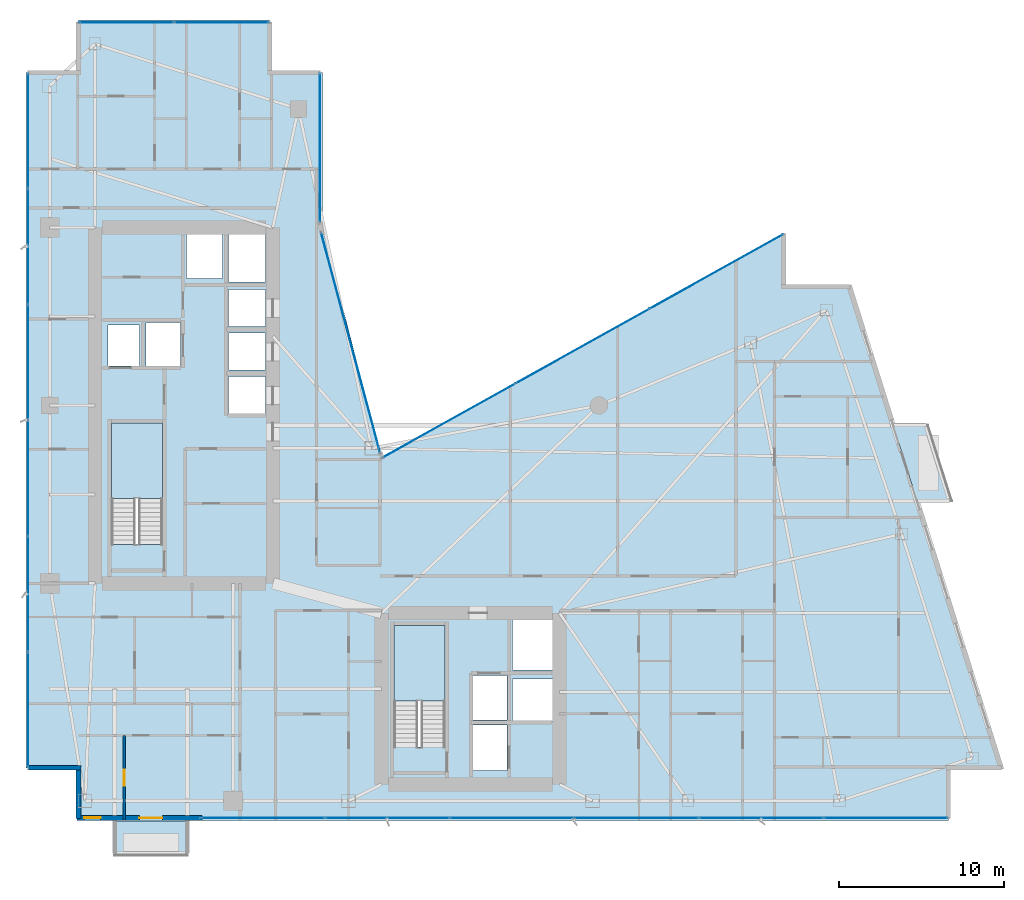
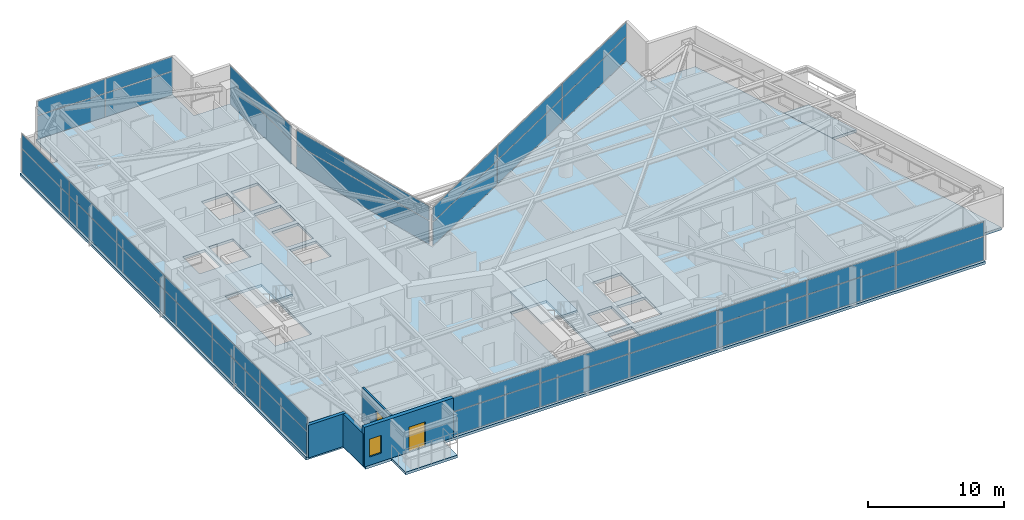
# One storey, part 21 of 28: 38 plates, 5 slabs, 4 walls, 2 doors, 1 window, 3 openings, 8 elements without a shape of their own.
"""IFC4 building model written with IfcOpenShell, lengths in metres."""

from ifc_helpers import new_model, si_unit, direction, frame, frame_2d, origin, origin_2d, place, context, subcontext, project, spatial, polyline, rectangle, outline, extrude, material, layer, layer_set, type_object, element, fill, aggregate, save


model = new_model("IFC4")

# Units and contexts
model_context = context("Model", 3, precision=1e-05, world=origin(), true_north=direction((0.0, 1.0)))
body_context = subcontext(model_context, "Body", "Model", "MODEL_VIEW")
ifc_project = project(units=[si_unit("LENGTHUNIT", "METRE"), si_unit("AREAUNIT", "SQUARE_METRE"), si_unit("VOLUMEUNIT", "CUBIC_METRE"), si_unit("PLANEANGLEUNIT", "RADIAN"), si_unit("MASSUNIT", "GRAM", prefix="KILO")], contexts=[model_context])

# Site, building, storey
site_placement = place(None, origin())
site = spatial("IfcSite", under=ifc_project, at=site_placement, CompositionType="ELEMENT")
building_placement = place(site_placement, origin())
building = spatial("IfcBuilding", under=site, at=building_placement, Name="Calvorn Quay Hotel", CompositionType="ELEMENT")
storey_placement = place(building_placement, frame((0.0, 0.0, 159.89990234375)))
storey = spatial("IfcBuildingStorey", under=building, at=storey_placement, Name="L39", CompositionType="ELEMENT", Elevation=159.89990234375)

# Curtain wall, plates
ifc_material_1 = material(Name="Pale Anodised Aluminium and Low-E Glass", Category="aluminium")
ifc_layer_1 = layer(ifc_material_1, 0.219970703125)
ifc_layer_set_1 = layer_set([ifc_layer_1], Name="CW-SYS-Z2")
curtain_wall_type = type_object("IfcCurtainWallType", Name="CW-SYS-Z2", PredefinedType="NOTDEFINED", material=ifc_layer_set_1)
curtain_wall_1_placement = place(storey_placement, origin())
curtain_wall_1 = element("IfcCurtainWall", 1, at=curtain_wall_1_placement, inside=storey, type_object=curtain_wall_type, Name="Tower West Curtain Wall (L39)", PredefinedType="NOTDEFINED")
ifc_material_2 = material(Name="Low-E Laminated Double Glazing", Category="glass")
ifc_layer_2 = layer(ifc_material_2, 0.028076171875)
ifc_layer_set_2 = layer_set([ifc_layer_2], Name="CW-SYS-Z2-PAN")
plate_type = type_object("IfcPlateType", Name="CW-SYS-Z2-PAN", PredefinedType="CURTAIN_PANEL", material=ifc_layer_set_2)
plate_1_placement = place(storey_placement, frame((0.14990234375, 9.131591796875, 0.06005859375), z_axis=(0.0, 0.0, 1.0), x_axis=(0.0, 1.0, 0.0)))
plate_1 = element("IfcPlate", 2, at=plate_1_placement, type_object=plate_type, Name="CW-L39-W panel 1.1", PredefinedType="CURTAIN_PANEL", context=body_context, shape_type="SweptSolid", body=[
    extrude(rectangle(XDim=6.943359375, YDim=0.028076171875, at=origin_2d()), origin(), (0.0, 0.0, 1.0), 2.110107421875),
])
plate_2_placement = place(storey_placement, frame((0.14990234375, 9.131591796875, 2.22998046875), z_axis=(0.0, 0.0, 1.0), x_axis=(0.0, 1.0, 0.0)))
plate_2 = element("IfcPlate", 3, at=plate_2_placement, type_object=plate_type, Name="CW-L39-W panel 1.2", PredefinedType="CURTAIN_PANEL", context=body_context, shape_type="SweptSolid", body=[
    extrude(rectangle(XDim=6.943359375, YDim=0.028076171875, at=origin_2d()), origin(), (0.0, 0.0, 1.0), 1.27001953125),
])
plate_3_placement = place(storey_placement, frame((0.14990234375, 16.14990234375, 0.06005859375), z_axis=(0.0, 0.0, 1.0), x_axis=(0.0, 1.0, 0.0)))
plate_3 = element("IfcPlate", 4, at=plate_3_placement, type_object=plate_type, Name="CW-L39-W panel 2.1", PredefinedType="CURTAIN_PANEL", context=body_context, shape_type="SweptSolid", body=[
    extrude(rectangle(XDim=6.973388671875, YDim=0.028076171875, at=origin_2d()), origin(), (0.0, 0.0, 1.0), 2.110107421875),
])
plate_4_placement = place(storey_placement, frame((0.14990234375, 16.14990234375, 2.22998046875), z_axis=(0.0, 0.0, 1.0), x_axis=(0.0, 1.0, 0.0)))
plate_4 = element("IfcPlate", 5, at=plate_4_placement, type_object=plate_type, Name="CW-L39-W panel 2.2", PredefinedType="CURTAIN_PANEL", context=body_context, shape_type="SweptSolid", body=[
    extrude(rectangle(XDim=6.973388671875, YDim=0.028076171875, at=origin_2d()), origin(), (0.0, 0.0, 1.0), 1.27001953125),
])
plate_5_placement = place(storey_placement, frame((0.14990234375, 23.183349609375, 0.06005859375), z_axis=(0.0, 0.0, 1.0), x_axis=(0.0, 1.0, 0.0)))
plate_5 = element("IfcPlate", 6, at=plate_5_placement, type_object=plate_type, Name="CW-L39-W panel 3.1", PredefinedType="CURTAIN_PANEL", context=body_context, shape_type="SweptSolid", body=[
    extrude(rectangle(XDim=6.973388671875, YDim=0.028076171875, at=origin_2d()), origin(), (0.0, 0.0, 1.0), 2.110107421875),
])
plate_6_placement = place(storey_placement, frame((0.14990234375, 23.183349609375, 2.22998046875), z_axis=(0.0, 0.0, 1.0), x_axis=(0.0, 1.0, 0.0)))
plate_6 = element("IfcPlate", 7, at=plate_6_placement, type_object=plate_type, Name="CW-L39-W panel 3.2", PredefinedType="CURTAIN_PANEL", context=body_context, shape_type="SweptSolid", body=[
    extrude(rectangle(XDim=6.973388671875, YDim=0.028076171875, at=origin_2d()), origin(), (0.0, 0.0, 1.0), 1.27001953125),
])
plate_7_placement = place(storey_placement, frame((0.14990234375, 30.216552734375, 0.06005859375), z_axis=(0.0, 0.0, 1.0), x_axis=(0.0, 1.0, 0.0)))
plate_7 = element("IfcPlate", 8, at=plate_7_placement, type_object=plate_type, Name="CW-L39-W panel 4.1", PredefinedType="CURTAIN_PANEL", context=body_context, shape_type="SweptSolid", body=[
    extrude(rectangle(XDim=6.973388671875, YDim=0.028076171875, at=origin_2d()), origin(), (0.0, 0.0, 1.0), 2.110107421875),
])
plate_8_placement = place(storey_placement, frame((0.14990234375, 30.216552734375, 2.22998046875), z_axis=(0.0, 0.0, 1.0), x_axis=(0.0, 1.0, 0.0)))
plate_8 = element("IfcPlate", 9, at=plate_8_placement, type_object=plate_type, Name="CW-L39-W panel 4.2", PredefinedType="CURTAIN_PANEL", context=body_context, shape_type="SweptSolid", body=[
    extrude(rectangle(XDim=6.973388671875, YDim=0.028076171875, at=origin_2d()), origin(), (0.0, 0.0, 1.0), 1.27001953125),
])
plate_9_placement = place(storey_placement, frame((0.14990234375, 37.25, 0.06005859375), z_axis=(0.0, 0.0, 1.0), x_axis=(0.0, 1.0, 0.0)))
plate_9 = element("IfcPlate", 10, at=plate_9_placement, type_object=plate_type, Name="CW-L39-W panel 5.1", PredefinedType="CURTAIN_PANEL", context=body_context, shape_type="SweptSolid", body=[
    extrude(rectangle(XDim=6.973388671875, YDim=0.028076171875, at=origin_2d()), origin(), (0.0, 0.0, 1.0), 2.110107421875),
])
plate_10_placement = place(storey_placement, frame((0.14990234375, 37.25, 2.22998046875), z_axis=(0.0, 0.0, 1.0), x_axis=(0.0, 1.0, 0.0)))
plate_10 = element("IfcPlate", 11, at=plate_10_placement, type_object=plate_type, Name="CW-L39-W panel 5.2", PredefinedType="CURTAIN_PANEL", context=body_context, shape_type="SweptSolid", body=[
    extrude(rectangle(XDim=6.973388671875, YDim=0.028076171875, at=origin_2d()), origin(), (0.0, 0.0, 1.0), 1.27001953125),
])
plate_11_placement = place(storey_placement, frame((0.14990234375, 44.268310546875, 0.06005859375), z_axis=(0.0, 0.0, 1.0), x_axis=(0.0, 1.0, 0.0)))
plate_11 = element("IfcPlate", 12, at=plate_11_placement, type_object=plate_type, Name="CW-L39-W panel 6.1", PredefinedType="CURTAIN_PANEL", context=body_context, shape_type="SweptSolid", body=[
    extrude(rectangle(XDim=6.943359375, YDim=0.028076171875, at=origin_2d()), origin(), (0.0, 0.0, 1.0), 2.110107421875),
])
plate_12_placement = place(storey_placement, frame((0.14990234375, 44.268310546875, 2.22998046875), z_axis=(0.0, 0.0, 1.0), x_axis=(0.0, 1.0, 0.0)))
plate_12 = element("IfcPlate", 13, at=plate_12_placement, type_object=plate_type, Name="CW-L39-W panel 6.2", PredefinedType="CURTAIN_PANEL", context=body_context, shape_type="SweptSolid", body=[
    extrude(rectangle(XDim=6.943359375, YDim=0.028076171875, at=origin_2d()), origin(), (0.0, 0.0, 1.0), 1.27001953125),
])
aggregate(curtain_wall_1, [plate_1, plate_2, plate_3, plate_4, plate_5, plate_6, plate_7, plate_8, plate_9, plate_10, plate_11, plate_12])

curtain_wall_2_placement = place(storey_placement, origin())
curtain_wall_2 = element("IfcCurtainWall", 14, at=curtain_wall_2_placement, inside=storey, type_object=curtain_wall_type, Name="Tower South Waterfront Curtain Wall (L39)", PredefinedType="NOTDEFINED")
plate_13_placement = place(storey_placement, frame((14.3984375, 2.550048828125, 0.06005859375), z_axis=(0.0, 0.0, 1.0), x_axis=(1.0, 0.0, 0.0)))
plate_13 = element("IfcPlate", 15, at=plate_13_placement, type_object=plate_type, Name="CW-L39-S panel 1.1", PredefinedType="CURTAIN_PANEL", context=body_context, shape_type="SweptSolid", body=[
    extrude(rectangle(XDim=7.4765625, YDim=0.028076171875, at=origin_2d()), origin(), (0.0, 0.0, 1.0), 2.110107421875),
])
plate_14_placement = place(storey_placement, frame((14.3984375, 2.550048828125, 2.22998046875), z_axis=(0.0, 0.0, 1.0), x_axis=(1.0, 0.0, 0.0)))
plate_14 = element("IfcPlate", 16, at=plate_14_placement, type_object=plate_type, Name="CW-L39-S panel 1.2", PredefinedType="CURTAIN_PANEL", context=body_context, shape_type="SweptSolid", body=[
    extrude(rectangle(XDim=7.4765625, YDim=0.028076171875, at=origin_2d()), origin(), (0.0, 0.0, 1.0), 1.27001953125),
])
plate_15_placement = place(storey_placement, frame((21.949951171875, 2.550048828125, 0.06005859375), z_axis=(0.0, 0.0, 1.0), x_axis=(1.0, 0.0, 0.0)))
plate_15 = element("IfcPlate", 17, at=plate_15_placement, type_object=plate_type, Name="CW-L39-S panel 2.1", PredefinedType="CURTAIN_PANEL", context=body_context, shape_type="SweptSolid", body=[
    extrude(rectangle(XDim=7.506591796875, YDim=0.028076171875, at=origin_2d()), origin(), (0.0, 0.0, 1.0), 2.110107421875),
])
plate_16_placement = place(storey_placement, frame((21.949951171875, 2.550048828125, 2.22998046875), z_axis=(0.0, 0.0, 1.0), x_axis=(1.0, 0.0, 0.0)))
plate_16 = element("IfcPlate", 18, at=plate_16_placement, type_object=plate_type, Name="CW-L39-S panel 2.2", PredefinedType="CURTAIN_PANEL", context=body_context, shape_type="SweptSolid", body=[
    extrude(rectangle(XDim=7.506591796875, YDim=0.028076171875, at=origin_2d()), origin(), (0.0, 0.0, 1.0), 1.27001953125),
])
plate_17_placement = place(storey_placement, frame((29.5166015625, 2.550048828125, 0.06005859375), z_axis=(0.0, 0.0, 1.0), x_axis=(1.0, 0.0, 0.0)))
plate_17 = element("IfcPlate", 19, at=plate_17_placement, type_object=plate_type, Name="CW-L39-S panel 3.1", PredefinedType="CURTAIN_PANEL", context=body_context, shape_type="SweptSolid", body=[
    extrude(rectangle(XDim=7.506591796875, YDim=0.028076171875, at=origin_2d()), origin(), (0.0, 0.0, 1.0), 2.110107421875),
])
plate_18_placement = place(storey_placement, frame((29.5166015625, 2.550048828125, 2.22998046875), z_axis=(0.0, 0.0, 1.0), x_axis=(1.0, 0.0, 0.0)))
plate_18 = element("IfcPlate", 20, at=plate_18_placement, type_object=plate_type, Name="CW-L39-S panel 3.2", PredefinedType="CURTAIN_PANEL", context=body_context, shape_type="SweptSolid", body=[
    extrude(rectangle(XDim=7.506591796875, YDim=0.028076171875, at=origin_2d()), origin(), (0.0, 0.0, 1.0), 1.27001953125),
])
plate_19_placement = place(storey_placement, frame((37.083251953125, 2.550048828125, 0.06005859375), z_axis=(0.0, 0.0, 1.0), x_axis=(1.0, 0.0, 0.0)))
plate_19 = element("IfcPlate", 21, at=plate_19_placement, type_object=plate_type, Name="CW-L39-S panel 4.1", PredefinedType="CURTAIN_PANEL", context=body_context, shape_type="SweptSolid", body=[
    extrude(rectangle(XDim=7.506591796875, YDim=0.028076171875, at=origin_2d()), origin(), (0.0, 0.0, 1.0), 2.110107421875),
])
plate_20_placement = place(storey_placement, frame((37.083251953125, 2.550048828125, 2.22998046875), z_axis=(0.0, 0.0, 1.0), x_axis=(1.0, 0.0, 0.0)))
plate_20 = element("IfcPlate", 22, at=plate_20_placement, type_object=plate_type, Name="CW-L39-S panel 4.2", PredefinedType="CURTAIN_PANEL", context=body_context, shape_type="SweptSolid", body=[
    extrude(rectangle(XDim=7.506591796875, YDim=0.028076171875, at=origin_2d()), origin(), (0.0, 0.0, 1.0), 1.27001953125),
])
plate_21_placement = place(storey_placement, frame((44.64990234375, 2.550048828125, 0.06005859375), z_axis=(0.0, 0.0, 1.0), x_axis=(1.0, 0.0, 0.0)))
plate_21 = element("IfcPlate", 23, at=plate_21_placement, type_object=plate_type, Name="CW-L39-S panel 5.1", PredefinedType="CURTAIN_PANEL", context=body_context, shape_type="SweptSolid", body=[
    extrude(rectangle(XDim=7.506591796875, YDim=0.028076171875, at=origin_2d()), origin(), (0.0, 0.0, 1.0), 2.110107421875),
])
plate_22_placement = place(storey_placement, frame((44.64990234375, 2.550048828125, 2.22998046875), z_axis=(0.0, 0.0, 1.0), x_axis=(1.0, 0.0, 0.0)))
plate_22 = element("IfcPlate", 24, at=plate_22_placement, type_object=plate_type, Name="CW-L39-S panel 5.2", PredefinedType="CURTAIN_PANEL", context=body_context, shape_type="SweptSolid", body=[
    extrude(rectangle(XDim=7.506591796875, YDim=0.028076171875, at=origin_2d()), origin(), (0.0, 0.0, 1.0), 1.27001953125),
])
plate_23_placement = place(storey_placement, frame((52.20166015625, 2.550048828125, 0.06005859375), z_axis=(0.0, 0.0, 1.0), x_axis=(1.0, 0.0, 0.0)))
plate_23 = element("IfcPlate", 25, at=plate_23_placement, type_object=plate_type, Name="CW-L39-S panel 6.1", PredefinedType="CURTAIN_PANEL", context=body_context, shape_type="SweptSolid", body=[
    extrude(rectangle(XDim=7.4765625, YDim=0.028076171875, at=origin_2d()), origin(), (0.0, 0.0, 1.0), 2.110107421875),
])
plate_24_placement = place(storey_placement, frame((52.20166015625, 2.550048828125, 2.22998046875), z_axis=(0.0, 0.0, 1.0), x_axis=(1.0, 0.0, 0.0)))
plate_24 = element("IfcPlate", 26, at=plate_24_placement, type_object=plate_type, Name="CW-L39-S panel 6.2", PredefinedType="CURTAIN_PANEL", context=body_context, shape_type="SweptSolid", body=[
    extrude(rectangle(XDim=7.4765625, YDim=0.028076171875, at=origin_2d()), origin(), (0.0, 0.0, 1.0), 1.27001953125),
])
aggregate(curtain_wall_2, [plate_13, plate_14, plate_15, plate_16, plate_17, plate_18, plate_19, plate_20, plate_21, plate_22, plate_23, plate_24])

curtain_wall_3_placement = place(storey_placement, origin())
curtain_wall_3 = element("IfcCurtainWall", 27, at=curtain_wall_3_placement, inside=storey, type_object=curtain_wall_type, Name="Inner Court Curtain Wall L39-NE1", PredefinedType="NOTDEFINED")
plate_25_placement = place(storey_placement, frame((41.920166015625, 35.72607421875, 0.06005859375), z_axis=(0.0, 0.0, 1.0), x_axis=(-0.873480989116, -0.486858256224, 0.0)))
plate_25 = element("IfcPlate", 28, at=plate_25_placement, type_object=plate_type, Name="CW-L39-NE1 panel 1.1", PredefinedType="CURTAIN_PANEL", context=body_context, shape_type="SweptSolid", body=[
    extrude(rectangle(XDim=9.221435546875, YDim=0.028076171875, at=origin_2d()), origin(), (0.0, 0.0, 1.0), 2.110107421875),
])
plate_26_placement = place(storey_placement, frame((41.920166015625, 35.72607421875, 2.22998046875), z_axis=(0.0, 0.0, 1.0), x_axis=(-0.873480989116, -0.486858256224, 0.0)))
plate_26 = element("IfcPlate", 29, at=plate_26_placement, type_object=plate_type, Name="CW-L39-NE1 panel 1.2", PredefinedType="CURTAIN_PANEL", context=body_context, shape_type="SweptSolid", body=[
    extrude(rectangle(XDim=9.221435546875, YDim=0.028076171875, at=origin_2d()), origin(), (0.0, 0.0, 1.0), 1.27001953125),
])
plate_27_placement = place(storey_placement, frame((33.800048828125, 31.199951171875, 0.06005859375), z_axis=(0.0, 0.0, 1.0), x_axis=(-0.873480989116, -0.486858256224, 0.0)))
plate_27 = element("IfcPlate", 30, at=plate_27_placement, type_object=plate_type, Name="CW-L39-NE1 panel 2.1", PredefinedType="CURTAIN_PANEL", context=body_context, shape_type="SweptSolid", body=[
    extrude(rectangle(XDim=9.25146484375, YDim=0.028076171875, at=origin_2d()), origin(), (0.0, 0.0, 1.0), 2.110107421875),
])
plate_28_placement = place(storey_placement, frame((33.800048828125, 31.199951171875, 2.22998046875), z_axis=(0.0, 0.0, 1.0), x_axis=(-0.873480989116, -0.486858256224, 0.0)))
plate_28 = element("IfcPlate", 31, at=plate_28_placement, type_object=plate_type, Name="CW-L39-NE1 panel 2.2", PredefinedType="CURTAIN_PANEL", context=body_context, shape_type="SweptSolid", body=[
    extrude(rectangle(XDim=9.25146484375, YDim=0.028076171875, at=origin_2d()), origin(), (0.0, 0.0, 1.0), 1.27001953125),
])
plate_29_placement = place(storey_placement, frame((25.6796875, 26.674072265625, 0.06005859375), z_axis=(0.0, 0.0, 1.0), x_axis=(-0.873480989116, -0.486858256224, 0.0)))
plate_29 = element("IfcPlate", 32, at=plate_29_placement, type_object=plate_type, Name="CW-L39-NE1 panel 3.1", PredefinedType="CURTAIN_PANEL", context=body_context, shape_type="SweptSolid", body=[
    extrude(rectangle(XDim=9.221435546875, YDim=0.028076171875, at=origin_2d()), origin(), (0.0, 0.0, 1.0), 2.110107421875),
])
plate_30_placement = place(storey_placement, frame((25.6796875, 26.674072265625, 2.22998046875), z_axis=(0.0, 0.0, 1.0), x_axis=(-0.873480989116, -0.486858256224, 0.0)))
plate_30 = element("IfcPlate", 33, at=plate_30_placement, type_object=plate_type, Name="CW-L39-NE1 panel 3.2", PredefinedType="CURTAIN_PANEL", context=body_context, shape_type="SweptSolid", body=[
    extrude(rectangle(XDim=9.221435546875, YDim=0.028076171875, at=origin_2d()), origin(), (0.0, 0.0, 1.0), 1.27001953125),
])
aggregate(curtain_wall_3, [plate_25, plate_26, plate_27, plate_28, plate_29, plate_30])

curtain_wall_4_placement = place(storey_placement, origin())
curtain_wall_4 = element("IfcCurtainWall", 34, at=curtain_wall_4_placement, inside=storey, type_object=curtain_wall_type, Name="Inner Court Curtain Wall L39-IC1", PredefinedType="NOTDEFINED")
plate_31_placement = place(storey_placement, frame((19.72509765625, 31.39990234375, 0.06005859375), z_axis=(0.0, 0.0, 1.0), x_axis=(-0.25877913024, 0.96593652056, 0.0)))
plate_31 = element("IfcPlate", 35, at=plate_31_placement, type_object=plate_type, Name="CW-L39-IC1 panel 1.1", PredefinedType="CURTAIN_PANEL", context=body_context, shape_type="SweptSolid", body=[
    extrude(rectangle(XDim=13.814697265625, YDim=0.028076171875, at=origin_2d()), origin(), (0.0, 0.0, 1.0), 2.110107421875),
])
plate_32_placement = place(storey_placement, frame((19.72509765625, 31.39990234375, 2.22998046875), z_axis=(0.0, 0.0, 1.0), x_axis=(-0.25877913024, 0.96593652056, 0.0)))
plate_32 = element("IfcPlate", 36, at=plate_32_placement, type_object=plate_type, Name="CW-L39-IC1 panel 1.2", PredefinedType="CURTAIN_PANEL", context=body_context, shape_type="SweptSolid", body=[
    extrude(rectangle(XDim=13.814697265625, YDim=0.028076171875, at=origin_2d()), origin(), (0.0, 0.0, 1.0), 1.27001953125),
])
aggregate(curtain_wall_4, [plate_31, plate_32])

curtain_wall_5_placement = place(storey_placement, origin())
curtain_wall_5 = element("IfcCurtainWall", 37, at=curtain_wall_5_placement, inside=storey, type_object=curtain_wall_type, Name="Inner Court Curtain Wall L39-IC2", PredefinedType="NOTDEFINED")
plate_33_placement = place(storey_placement, frame((17.85009765625, 43.239990234375, 0.06005859375), z_axis=(0.0, 0.0, 1.0), x_axis=(0.0, 1.0, 0.0)))
plate_33 = element("IfcPlate", 38, at=plate_33_placement, type_object=plate_type, Name="CW-L39-IC2 panel 1.1", PredefinedType="CURTAIN_PANEL", context=body_context, shape_type="SweptSolid", body=[
    extrude(rectangle(XDim=9.0, YDim=0.028076171875, at=origin_2d()), origin(), (0.0, 0.0, 1.0), 2.110107421875),
])
plate_34_placement = place(storey_placement, frame((17.85009765625, 43.239990234375, 2.22998046875), z_axis=(0.0, 0.0, 1.0), x_axis=(0.0, 1.0, 0.0)))
plate_34 = element("IfcPlate", 39, at=plate_34_placement, type_object=plate_type, Name="CW-L39-IC2 panel 1.2", PredefinedType="CURTAIN_PANEL", context=body_context, shape_type="SweptSolid", body=[
    extrude(rectangle(XDim=9.0, YDim=0.028076171875, at=origin_2d()), origin(), (0.0, 0.0, 1.0), 1.27001953125),
])
aggregate(curtain_wall_5, [plate_33, plate_34])

curtain_wall_6_placement = place(storey_placement, origin())
curtain_wall_6 = element("IfcCurtainWall", 40, at=curtain_wall_6_placement, inside=storey, type_object=curtain_wall_type, Name="Inner Court Curtain Wall L39-N1", PredefinedType="NOTDEFINED")
plate_35_placement = place(storey_placement, frame((11.885009765625, 50.85009765625, 0.06005859375), z_axis=(0.0, 0.0, 1.0), x_axis=(-1.0, 0.0, 0.0)))
plate_35 = element("IfcPlate", 41, at=plate_35_placement, type_object=plate_type, Name="CW-L39-N1 panel 1.1", PredefinedType="CURTAIN_PANEL", context=body_context, shape_type="SweptSolid", body=[
    extrude(rectangle(XDim=5.7099609375, YDim=0.028076171875, at=origin_2d()), origin(), (0.0, 0.0, 1.0), 2.110107421875),
])
plate_36_placement = place(storey_placement, frame((11.885009765625, 50.85009765625, 2.22998046875), z_axis=(0.0, 0.0, 1.0), x_axis=(-1.0, 0.0, 0.0)))
plate_36 = element("IfcPlate", 42, at=plate_36_placement, type_object=plate_type, Name="CW-L39-N1 panel 1.2", PredefinedType="CURTAIN_PANEL", context=body_context, shape_type="SweptSolid", body=[
    extrude(rectangle(XDim=5.7099609375, YDim=0.028076171875, at=origin_2d()), origin(), (0.0, 0.0, 1.0), 1.27001953125),
])
plate_37_placement = place(storey_placement, frame((6.114990234375, 50.85009765625, 0.06005859375), z_axis=(0.0, 0.0, 1.0), x_axis=(-1.0, 0.0, 0.0)))
plate_37 = element("IfcPlate", 43, at=plate_37_placement, type_object=plate_type, Name="CW-L39-N1 panel 2.1", PredefinedType="CURTAIN_PANEL", context=body_context, shape_type="SweptSolid", body=[
    extrude(rectangle(XDim=5.7099609375, YDim=0.028076171875, at=origin_2d()), origin(), (0.0, 0.0, 1.0), 2.110107421875),
])
plate_38_placement = place(storey_placement, frame((6.114990234375, 50.85009765625, 2.22998046875), z_axis=(0.0, 0.0, 1.0), x_axis=(-1.0, 0.0, 0.0)))
plate_38 = element("IfcPlate", 44, at=plate_38_placement, type_object=plate_type, Name="CW-L39-N1 panel 2.2", PredefinedType="CURTAIN_PANEL", context=body_context, shape_type="SweptSolid", body=[
    extrude(rectangle(XDim=5.7099609375, YDim=0.028076171875, at=origin_2d()), origin(), (0.0, 0.0, 1.0), 1.27001953125),
])
aggregate(curtain_wall_6, [plate_35, plate_36, plate_37, plate_38])

# Slabs
ifc_material_3 = material(Name="Concrete C40", Category="concrete")
ifc_layer_3 = layer(ifc_material_3, 0.239990234375)
ifc_layer_set_3 = layer_set([ifc_layer_3], Name="SLB-BALCONY-220")
slab_type_1 = type_object("IfcSlabType", Name="SLB-BALCONY-220", PredefinedType="FLOOR", material=ifc_layer_set_3)
slab_1_placement = place(storey_placement, frame((0.0, 0.0, -0.239990234375)))
element("IfcSlab", 45, at=slab_1_placement, inside=storey, type_object=slab_type_1, Name="Tree Balcony Slab L39-BALC-E", PredefinedType="FLOOR", context=body_context, shape_type="SweptSolid", body=[
    extrude(outline(polyline([(54.10595703125, 21.800048828125), (56.2060546875, 21.800048828125), (54.757080078125, 26.39990234375), (52.656982421875, 26.39990234375), (54.10595703125, 21.800048828125)])), origin(), (0.0, 0.0, 1.0), 0.239990234375),
])
slab_2_placement = place(storey_placement, frame((0.0, 0.0, -0.239990234375)))
element("IfcSlab", 46, at=slab_2_placement, inside=storey, type_object=slab_type_1, Name="Tree Balcony Slab L39-BALC-S", PredefinedType="FLOOR", context=body_context, shape_type="SweptSolid", body=[
    extrude(outline(polyline([(5.39990234375, 0.2900390625), (9.800048828125, 0.2900390625), (9.800048828125, 2.389892578125), (5.39990234375, 2.389892578125), (5.39990234375, 0.2900390625)])), origin(), (0.0, 0.0, 1.0), 0.239990234375),
])

# Stair, slab
ifc_material_4 = material(Name="Concrete C40", Category="concrete")
stair_type = type_object("IfcStairType", Name="STR-CORE-DOGLEG", PredefinedType="HALF_TURN_STAIR", material=ifc_material_4)
stair_1_placement = place(storey_placement, origin())
stair_1 = element("IfcStair", 47, at=stair_1_placement, inside=storey, type_object=stair_type, Name="L39 ST-W", PredefinedType="HALF_TURN_STAIR")
ifc_material_5 = material(Name="Concrete C40", Category="concrete")
ifc_layer_4 = layer(ifc_material_5, 0.199951171875)
ifc_layer_set_4 = layer_set([ifc_layer_4], Name="SLB-STAIR-LANDING-200")
slab_type_2 = type_object("IfcSlabType", Name="SLB-STAIR-LANDING-200", PredefinedType="LANDING", material=ifc_layer_set_4)
slab_3_placement = place(storey_placement, frame((0.0, 0.0, 1.7001953125)))
slab_3 = element("IfcSlab", 48, at=slab_3_placement, type_object=slab_type_2, Name="ST-W landing 1", PredefinedType="LANDING", context=body_context, shape_type="SweptSolid", body=[
    extrude(outline(polyline([(8.300048828125, 21.949951171875), (8.300048828125, 26.550048828125), (5.199951171875, 26.550048828125), (5.199951171875, 21.949951171875), (8.300048828125, 21.949951171875)])), origin(), (0.0, 0.0, 1.0), 0.199951171875),
])
aggregate(stair_1, [slab_3])

stair_2_placement = place(storey_placement, origin())
stair_2 = element("IfcStair", 49, at=stair_2_placement, inside=storey, type_object=stair_type, Name="L39 ST-E", PredefinedType="HALF_TURN_STAIR")
slab_4_placement = place(storey_placement, frame((0.0, 0.0, 1.7001953125)))
slab_4 = element("IfcSlab", 50, at=slab_4_placement, type_object=slab_type_2, Name="ST-E landing 1", PredefinedType="LANDING", context=body_context, shape_type="SweptSolid", body=[
    extrude(outline(polyline([(25.449951171875, 9.64990234375), (25.449951171875, 14.25), (22.35009765625, 14.25), (22.35009765625, 9.64990234375), (25.449951171875, 9.64990234375)])), origin(), (0.0, 0.0, 1.0), 0.199951171875),
])
aggregate(stair_2, [slab_4])

# Slab
ifc_material_6 = material(Name="Concrete C40", Category="concrete")
ifc_layer_5 = layer(ifc_material_6, 0.239990234375)
ifc_layer_set_5 = layer_set([ifc_layer_5], Name="SLB-TOWER-240")
slab_type_3 = type_object("IfcSlabType", Name="SLB-TOWER-240", PredefinedType="FLOOR", material=ifc_layer_set_5)
slab_5_placement = place(storey_placement, frame((0.0, 0.0, -0.239990234375)))
element("IfcSlab", 51, at=slab_5_placement, inside=storey, type_object=slab_type_3, Name="L39 Structural Floor Slab", PredefinedType="FLOOR", context=body_context, shape_type="SweptSolid", body=[
    extrude(outline(polyline([(0.0, 5.60009765625), (3.199951171875, 5.60009765625), (3.199951171875, 2.39990234375), (56.0, 2.39990234375), (56.0, 5.60009765625), (59.199951171875, 5.60009765625), (50.0, 34.800048828125), (46.0, 34.800048828125), (46.0, 38.0), (21.60009765625, 24.39990234375), (18.0, 38.39990234375), (18.0, 47.800048828125), (14.800048828125, 47.800048828125), (14.800048828125, 51.0), (3.199951171875, 51.0), (3.199951171875, 47.800048828125), (0.0, 47.800048828125), (0.0, 5.60009765625)]), holes=[polyline([(5.199951171875, 19.156005859375), (8.300048828125, 19.156005859375), (8.300048828125, 26.550048828125), (5.199951171875, 26.550048828125), (5.199951171875, 19.156005859375)]), polyline([(22.35009765625, 6.85595703125), (25.449951171875, 6.85595703125), (25.449951171875, 14.25), (22.35009765625, 14.25), (22.35009765625, 6.85595703125)]), polyline([(5.0, 30.0), (6.89990234375, 30.0), (6.89990234375, 32.5), (5.0, 32.5), (5.0, 30.0)]), polyline([(7.300048828125, 30.0), (9.39990234375, 30.0), (9.39990234375, 32.64990234375), (7.300048828125, 32.64990234375), (7.300048828125, 30.0)]), polyline([(27.159912109375, 8.5), (29.2099609375, 8.5), (29.2099609375, 11.199951171875), (27.159912109375, 11.199951171875), (27.159912109375, 8.5)]), polyline([(27.159912109375, 5.449951171875), (29.2099609375, 5.449951171875), (29.2099609375, 8.199951171875), (27.159912109375, 8.199951171875), (27.159912109375, 5.449951171875)]), polyline([(12.300048828125, 27.10009765625), (14.56494140625, 27.10009765625), (14.56494140625, 29.35009765625), (12.300048828125, 29.35009765625), (12.300048828125, 27.10009765625)]), polyline([(12.300048828125, 29.75), (14.56494140625, 29.75), (14.56494140625, 32.0), (12.300048828125, 32.0), (12.300048828125, 29.75)]), polyline([(12.300048828125, 32.39990234375), (14.56494140625, 32.39990234375), (14.56494140625, 34.64990234375), (12.300048828125, 34.64990234375), (12.300048828125, 32.39990234375)]), polyline([(12.300048828125, 35.10009765625), (14.56494140625, 35.10009765625), (14.56494140625, 37.965087890625), (12.300048828125, 37.965087890625), (12.300048828125, 35.10009765625)]), polyline([(9.75, 35.300048828125), (11.949951171875, 35.300048828125), (11.949951171875, 37.965087890625), (9.75, 37.965087890625), (9.75, 35.300048828125)]), polyline([(29.550048828125, 11.550048828125), (31.965087890625, 11.550048828125), (31.965087890625, 14.56494140625), (29.550048828125, 14.56494140625), (29.550048828125, 11.550048828125)]), polyline([(29.550048828125, 8.449951171875), (31.965087890625, 8.449951171875), (31.965087890625, 11.0), (29.550048828125, 11.0), (29.550048828125, 8.449951171875)])]), origin(), (0.0, 0.0, 1.0), 0.239990234375),
])

# Wall, openings, door, window
ifc_material_7 = material(Name="Concrete C40", Category="concrete")
ifc_layer_6 = layer(ifc_material_7, 0.320068359375)
ifc_layer_set_6 = layer_set([ifc_layer_6], Name="WL-EXT-SPANDREL-320")
wall_type_1 = type_object("IfcWallType", Name="WL-EXT-SPANDREL-320", PredefinedType="SOLIDWALL", material=ifc_layer_set_6)
wall_1_placement = place(storey_placement, frame((3.10009765625, 2.56005859375, 0.0), z_axis=(0.0, 0.0, 1.0), x_axis=(1.0, 0.0, 0.0)))
wall_1 = element("IfcWall", 52, at=wall_1_placement, inside=storey, type_object=wall_type_1, Name="South Balcony Exterior Wall (L39)", PredefinedType="SOLIDWALL", context=body_context, shape_type="SweptSolid", body=[
    extrude(rectangle(XDim=7.599853515625, YDim=0.320068359375, at=frame_2d((3.7998046875, 0.0))), origin(), (0.0, 0.0, 1.0), 3.56005859375),
])
opening_1_placement = place(wall_1_placement, frame((0.449951171875, 0.0, 0.75)))
opening_1 = element("IfcOpeningElement", 53, at=opening_1_placement, cuts=wall_1, Name="Opening WSB-L39-1", PredefinedType="OPENING", context=body_context, shape_type="SweptSolid", body=[
    extrude(rectangle(XDim=1.0, YDim=1.60009765625, at=frame_2d((0.5, 0.800048828125))), frame((0.0, 0.169921875, 0.0), z_axis=(0.0, -1.0, 0.0), x_axis=(1.0, 0.0, 0.0)), (0.0, 0.0, 1.0), 0.340087890625),
])
opening_2_placement = place(wall_1_placement, frame((3.800048828125, 0.0, 0.0)))
opening_2 = element("IfcOpeningElement", 54, at=opening_2_placement, cuts=wall_1, Name="Opening DB-L39-2", PredefinedType="OPENING", context=body_context, shape_type="SweptSolid", body=[
    extrude(rectangle(XDim=1.39990234375, YDim=2.25, at=frame_2d((0.699951171875, 1.125))), frame((0.0, 0.169921875, 0.0), z_axis=(0.0, -1.0, 0.0), x_axis=(1.0, 0.0, 0.0)), (0.0, 0.0, 1.0), 0.340087890625),
])
ifc_material_8 = material(Name="Typhoon-Rated Low-E Aluminium Terrace Door", Category="aluminium")
door_type_1 = type_object("IfcDoorType", Name="DR-BALCONY-GLZ-1400", OperationType="NOTDEFINED", PredefinedType="DOOR", material=ifc_material_8)
door_1_placement = place(opening_2_placement, origin())
door_1 = element("IfcDoor", 55, at=door_1_placement, inside=storey, type_object=door_type_1, Name="Tree Balcony Terrace Door L39-BALC-S", OperationType="SINGLE_SWING_LEFT", OverallHeight=2.25, OverallWidth=1.39990234375, PredefinedType="DOOR", context=body_context, shape_type="SweptSolid", body=[
    extrude(rectangle(XDim=1.39990234375, YDim=2.25, at=frame_2d((0.699951171875, 1.125))), frame((0.0, 0.02490234375, 0.0), z_axis=(0.0, -1.0, 0.0), x_axis=(1.0, 0.0, 0.0)), (0.0, 0.0, 1.0), 0.050048828125),
])
fill(opening_2, door_1)
ifc_material_9 = material(Name="Self-Closing Class B Side Fire Window")
window_type = type_object("IfcWindowType", Name="WIN-REFUGE-NARROW-1000x1600", PartitioningType="SINGLE_PANEL", PredefinedType="WINDOW", material=ifc_material_9)
window_placement = place(opening_1_placement, origin())
window = element("IfcWindow", 56, at=window_placement, inside=storey, type_object=window_type, Name="South Waterfront Side Window (L39)", OverallHeight=1.60009765625, OverallWidth=1.0, PartitioningType="SINGLE_PANEL", PredefinedType="WINDOW", context=body_context, shape_type="SweptSolid", body=[
    extrude(rectangle(XDim=1.0, YDim=1.60009765625, at=frame_2d((0.5, 0.800048828125))), frame((0.0, 0.030029296875, 0.0), z_axis=(0.0, -1.0, 0.0), x_axis=(1.0, 0.0, 0.0)), (0.0, 0.0, 1.0), 0.06005859375),
])
fill(opening_1, window)

# Walls
wall_2_placement = place(storey_placement, frame((0.1201171875, 5.60009765625, 0.0), z_axis=(0.0, 0.0, 1.0), x_axis=(1.0, 0.0, 0.0)))
element("IfcWall", 57, at=wall_2_placement, inside=storey, type_object=wall_type_1, Name="Notched Corner Spandrel L39-SW1", PredefinedType="SOLIDWALL", context=body_context, shape_type="SweptSolid", body=[
    extrude(rectangle(XDim=3.219970703125, YDim=0.280029296875, at=frame_2d((1.60986328125, 0.0))), origin(), (0.0, 0.0, 1.0), 2.940185546875),
])
wall_3_placement = place(storey_placement, frame((3.199951171875, 5.4599609375, 0.0), z_axis=(0.0, 0.0, 1.0), x_axis=(0.0, -1.0, 0.0)))
element("IfcWall", 58, at=wall_3_placement, inside=storey, type_object=wall_type_1, Name="Notched Corner Spandrel L39-SW2", PredefinedType="SOLIDWALL", context=body_context, shape_type="SweptSolid", body=[
    extrude(rectangle(XDim=2.93994140625, YDim=0.280029296875, at=frame_2d((1.469970703125, 0.0))), origin(), (0.0, 0.0, 1.0), 2.940185546875),
])

# Wall, opening, door
ifc_material_10 = material(Name="Double-Stud Acoustic Gypsum Partition")
ifc_layer_7 = layer(ifc_material_10, 0.159912109375)
ifc_layer_set_7 = layer_set([ifc_layer_7], Name="WL-INTERSUITE-160")
wall_type_2 = type_object("IfcWallType", Name="WL-INTERSUITE-160", PredefinedType="PARTITIONING", material=ifc_layer_set_7)
wall_4_placement = place(storey_placement, frame((5.97998046875, 2.43994140625, 0.0), z_axis=(0.0, 0.0, 1.0), x_axis=(0.0, 1.0, 0.0)))
wall_4 = element("IfcWall", 59, at=wall_4_placement, inside=storey, type_object=wall_type_2, Name="Partition Wall L39-WL-U01-MSP", PredefinedType="PARTITIONING", context=body_context, shape_type="SweptSolid", body=[
    extrude(rectangle(XDim=5.130126953125, YDim=0.159912109375, at=frame_2d((2.56494140625, 0.0))), origin(), (0.0, 0.0, 1.0), 3.0400390625),
])
opening_3_placement = place(wall_4_placement, frame((2.090087890625, 0.0, 0.0)))
opening_3 = element("IfcOpeningElement", 60, at=opening_3_placement, cuts=wall_4, Name="Opening D-L39-M01", PredefinedType="OPENING", context=body_context, shape_type="SweptSolid", body=[
    extrude(rectangle(XDim=0.9599609375, YDim=2.199951171875, at=frame_2d((0.47998046875, 1.10009765625))), frame((0.0, 0.08984375, 0.0), z_axis=(0.0, -1.0, 0.0), x_axis=(1.0, 0.0, 0.0)), (0.0, 0.0, 1.0), 0.179931640625),
])
ifc_material_11 = material(Name="Solid Timber Internal Suite Door", Category="wood")
door_type_2 = type_object("IfcDoorType", Name="DR-SUITE-INT-960", OperationType="NOTDEFINED", PredefinedType="DOOR", material=ifc_material_11)
door_2_placement = place(opening_3_placement, origin())
door_2 = element("IfcDoor", 61, at=door_2_placement, inside=storey, type_object=door_type_2, Name="Suite Bedroom Door 01", OperationType="SINGLE_SWING_LEFT", OverallHeight=2.199951171875, OverallWidth=0.9599609375, PredefinedType="DOOR", context=body_context, shape_type="SweptSolid", body=[
    extrude(rectangle(XDim=0.9599609375, YDim=2.199951171875, at=frame_2d((0.47998046875, 1.10009765625))), frame((0.0, 0.02490234375, 0.0), z_axis=(0.0, -1.0, 0.0), x_axis=(1.0, 0.0, 0.0)), (0.0, 0.0, 1.0), 0.050048828125),
])
fill(opening_3, door_2)

save(model, "model.ifc")
